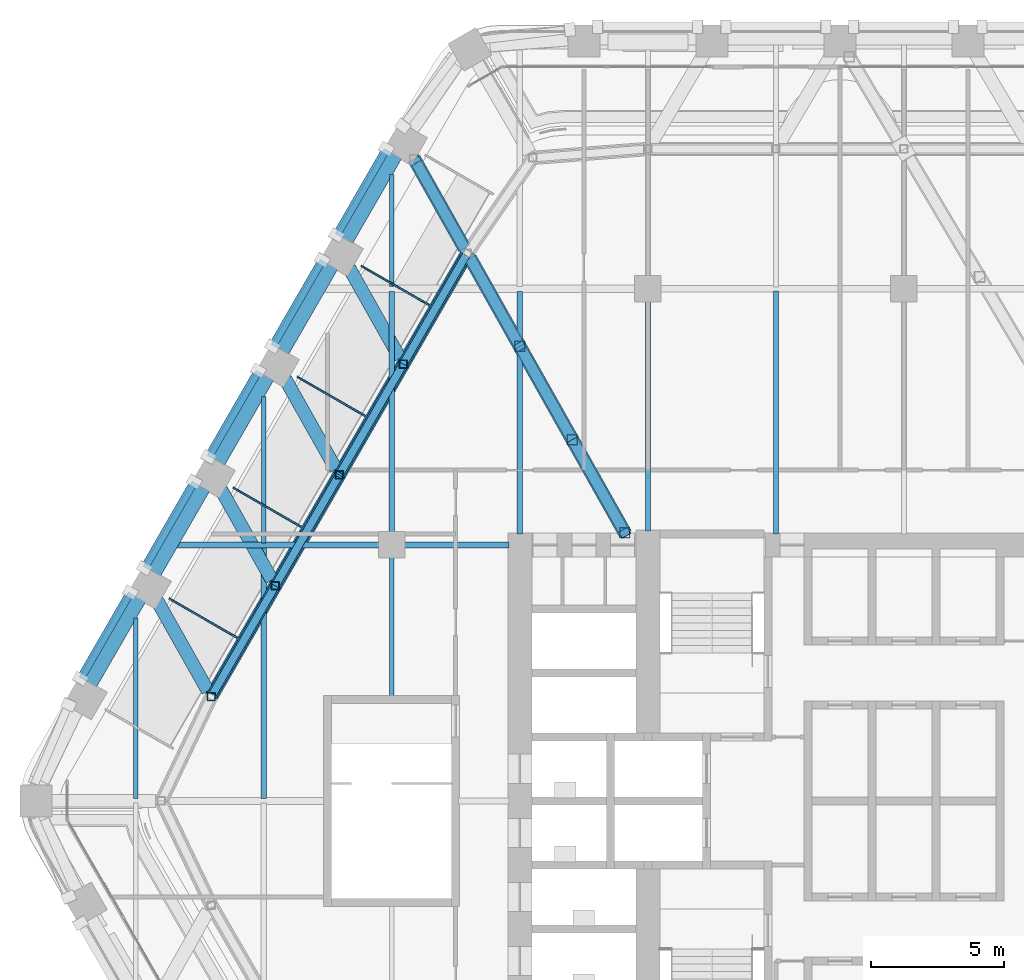
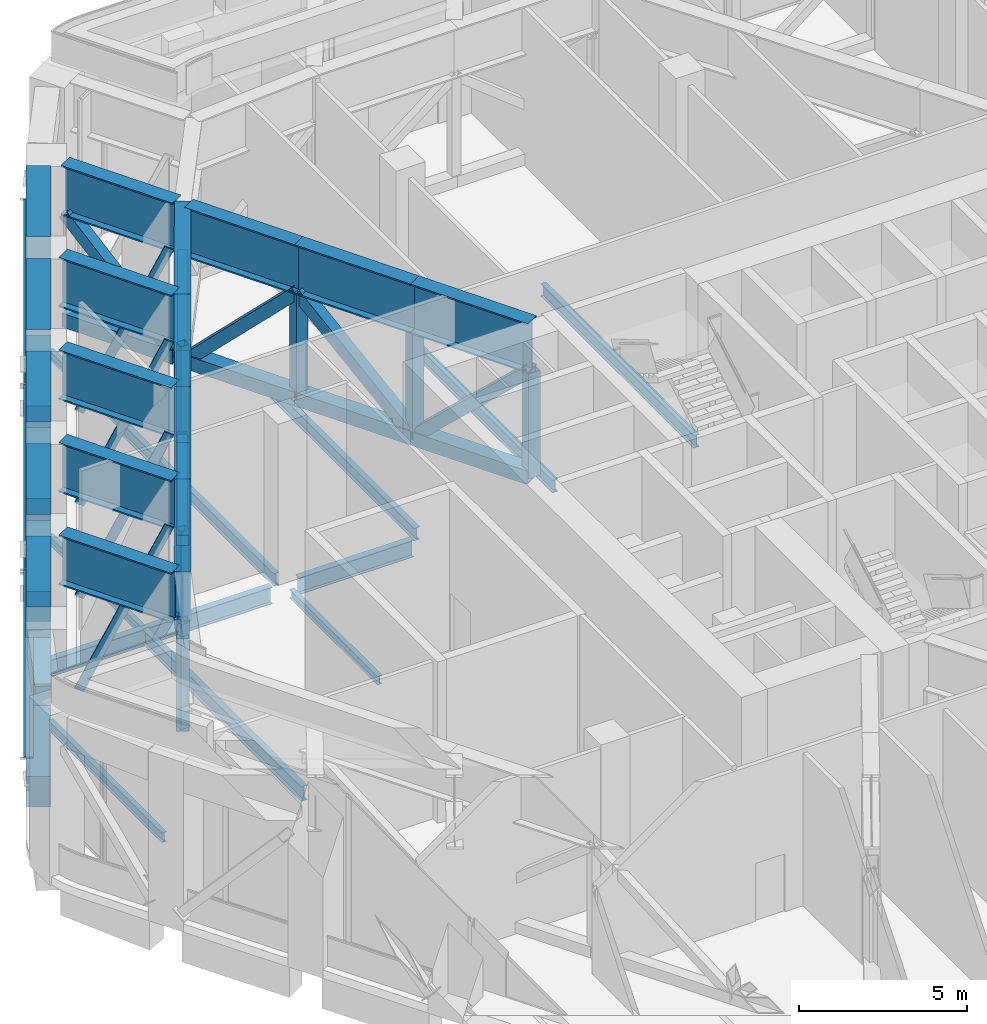
# One storey, part 8 of 27: 33 beams, 32 members, 1 element without a shape of its own.
"""IFC4 building model written with IfcOpenShell, lengths in metres."""

from ifc_helpers import new_model, si_unit, direction, frame, origin, origin_2d, place, context, subcontext, project, spatial, rectangle, hollow_rectangle, i_section, extrude, material, material_profile, profile_set, type_object, element, aggregate, save


model = new_model("IFC4")

# Units and contexts
model_context = context("Model", 3, precision=1e-05, world=origin(), true_north=direction((0.0, 1.0)))
body_context = subcontext(model_context, "Body", "Model", "MODEL_VIEW")
ifc_project = project(units=[si_unit("LENGTHUNIT", "METRE"), si_unit("AREAUNIT", "SQUARE_METRE"), si_unit("VOLUMEUNIT", "CUBIC_METRE"), si_unit("PLANEANGLEUNIT", "RADIAN"), si_unit("MASSUNIT", "GRAM", prefix="KILO")], contexts=[model_context])

# Site, building, storey
site_placement = place(None, origin())
site = spatial("IfcSite", under=ifc_project, at=site_placement, CompositionType="ELEMENT")
building_placement = place(site_placement, origin())
building = spatial("IfcBuilding", under=site, at=building_placement, Name="Kolab Exchange Tower", CompositionType="ELEMENT")
storey_placement = place(building_placement, frame((0.0, 0.0, 127.39990234375)))
storey = spatial("IfcBuildingStorey", under=building, at=storey_placement, Name="L25", CompositionType="ELEMENT", Elevation=127.39990234375)

# Members
ifc_material_1 = material(Name="Steel S355", Category="steel")
ifc_material_profile_1 = material_profile(ifc_material_1, hollow_rectangle(XDim=0.300048828125, YDim=0.300048828125, WallThickness=0.01611328125, at=origin_2d()), Name="HSS300X300X16")
ifc_profile_set_1 = profile_set([ifc_material_profile_1], Name="Steel S355")
member_type_1 = type_object("IfcMemberType", Name="BELT TRUSS BRACE HSS300X300X16", PredefinedType="BRACE", material=ifc_profile_set_1)
for number, where, z_axis, x_axis, name in (
    (1, (-25.967041015625, 3.906982421875, 4.050048828125), (0.392049206664, 0.678977702437, -0.620714668062), (-0.866002622515, 0.50003945624, 0.0), "mem/L25/ring/d-F6-02"),
    (2, (-23.56689453125, 8.063720703125, 0.25), (0.392004841722, 0.679009810783, 0.620707564741), (-0.866037363387, 0.499979284789, 0.0), "mem/L25/ring/d-F6-03"),
    (3, (-21.1669921875, 12.220703125, 4.050048828125), (0.392004841722, 0.679009810783, -0.620707564741), (-0.866037363387, 0.499979284789, 0.0), "mem/L25/ring/d-F6-04"),
):
    element("IfcMember", number, at=place(storey_placement, frame(where, z_axis=z_axis, x_axis=x_axis)), inside=storey, type_object=member_type_1, Name=name, PredefinedType="BRACE", context=body_context, shape_type="SweptSolid", body=[
        extrude(hollow_rectangle(XDim=0.300048828125, YDim=0.300048828125, WallThickness=0.01611328125, at=origin_2d()), origin(), (0.0, 0.0, 1.0), 6.1220703125),
    ])
member_1_placement = place(storey_placement, frame((-18.76708984375, 16.377685546875, 0.25), z_axis=(0.392038591319, 0.678999195849, 0.620697861244), x_axis=(-0.866015339567, 0.500017431331, 0.0)))
element("IfcMember", 4, at=member_1_placement, inside=storey, type_object=member_type_1, Name="mem/L25/ring/d-F6-05", PredefinedType="BRACE", context=body_context, shape_type="SweptSolid", body=[
    extrude(hollow_rectangle(XDim=0.300048828125, YDim=0.300048828125, WallThickness=0.01611328125, at=origin_2d()), origin(), (0.0, 0.0, 1.0), 6.122314453125),
])
for number, where, z_axis, x_axis, name in (
    (5, (-30.868896484375, 4.5869140625, 0.400146484375), (0.33175876964, 0.574575918421, 0.748196921096), (-0.866007645851, 0.500030756381, 0.0), "mem/L25/fb/F6-02"),
    (6, (-28.468994140625, 8.74365234375, 4.60009765625), (0.33175876964, 0.574575918421, -0.748196921096), (-0.866007645851, 0.500030756381, 0.0), "mem/L25/fb/F6-03"),
):
    element("IfcMember", number, at=place(storey_placement, frame(where, z_axis=z_axis, x_axis=x_axis)), inside=storey, type_object=member_type_1, Name=name, PredefinedType="BRACE", context=body_context, shape_type="SweptSolid", body=[
        extrude(hollow_rectangle(XDim=0.300048828125, YDim=0.300048828125, WallThickness=0.01611328125, at=origin_2d()), origin(), (0.0, 0.0, 1.0), 5.613525390625),
    ])
member_2_placement = place(storey_placement, frame((-26.06884765625, 12.900634765625, 0.400146484375), z_axis=(0.331720063492, 0.574584208573, 0.748207716303), x_axis=(-0.866036031404, 0.49998159197, 0.0)))
element("IfcMember", 7, at=member_2_placement, inside=storey, type_object=member_type_1, Name="mem/L25/fb/F6-04", PredefinedType="BRACE", context=body_context, shape_type="SweptSolid", body=[
    extrude(hollow_rectangle(XDim=0.300048828125, YDim=0.300048828125, WallThickness=0.01611328125, at=origin_2d()), origin(), (0.0, 0.0, 1.0), 5.61328125),
])
member_3_placement = place(storey_placement, frame((-23.6689453125, 17.0576171875, 4.60009765625), z_axis=(0.33175876964, 0.574575918421, -0.748196921096), x_axis=(-0.866007645851, 0.500030756381, 0.0)))
element("IfcMember", 8, at=member_3_placement, inside=storey, type_object=member_type_1, Name="mem/L25/fb/F6-05", PredefinedType="BRACE", context=body_context, shape_type="SweptSolid", body=[
    extrude(hollow_rectangle(XDim=0.300048828125, YDim=0.300048828125, WallThickness=0.01611328125, at=origin_2d()), origin(), (0.0, 0.0, 1.0), 5.613525390625),
])
member_4_placement = place(storey_placement, frame((-21.268798828125, 21.214599609375, 0.400146484375), z_axis=(0.331720063492, 0.574584208573, 0.748207716303), x_axis=(-0.866036031404, 0.49998159197, 0.0)))
element("IfcMember", 9, at=member_4_placement, inside=storey, type_object=member_type_1, Name="mem/L25/fb/F6-06", PredefinedType="BRACE", context=body_context, shape_type="SweptSolid", body=[
    extrude(hollow_rectangle(XDim=0.300048828125, YDim=0.300048828125, WallThickness=0.01611328125, at=origin_2d()), origin(), (0.0, 0.0, 1.0), 5.61328125),
])
ifc_material_profile_2 = material_profile(ifc_material_1, hollow_rectangle(XDim=0.39990234375, YDim=0.39990234375, WallThickness=0.02001953125, at=origin_2d()), Name="HSS400X400X20")
ifc_profile_set_2 = profile_set([ifc_material_profile_2], Name="Steel S355")
member_type_2 = type_object("IfcMemberType", Name="BELT TRUSS CHORD HSS400X400X20", PredefinedType="CHORD", material=ifc_profile_set_2)
member_5_placement = place(storey_placement, frame((-25.967041015625, 3.906982421875, 0.25), z_axis=(0.50003945624, 0.866002622515, 0.0), x_axis=(-0.866002622515, 0.50003945624, 0.0)))
element("IfcMember", 10, at=member_5_placement, inside=storey, type_object=member_type_2, Name="mem/L25/ring/c-F6-02", PredefinedType="CHORD", context=body_context, shape_type="SweptSolid", body=[
    extrude(hollow_rectangle(XDim=0.39990234375, YDim=0.39990234375, WallThickness=0.02001953125, at=origin_2d()), origin(), (0.0, 0.0, 1.0), 4.7998046875),
])
for number, where, z_axis, x_axis, name in (
    (11, (-23.56689453125, 8.063720703125, 0.25), (0.499979284789, 0.866037363387, 0.0), (-0.866037363387, 0.499979284789, 0.0), "mem/L25/ring/c-F6-03"),
    (12, (-21.1669921875, 12.220703125, 0.25), (0.499979284789, 0.866037363387, 0.0), (-0.866037363387, 0.499979284789, 0.0), "mem/L25/ring/c-F6-04"),
    (13, (-18.76708984375, 16.377685546875, 0.25), (0.500017431331, 0.866015339567, 0.0), (-0.866015339567, 0.500017431331, 0.0), "mem/L25/ring/c-F6-05"),
):
    element("IfcMember", number, at=place(storey_placement, frame(where, z_axis=z_axis, x_axis=x_axis)), inside=storey, type_object=member_type_2, Name=name, PredefinedType="CHORD", context=body_context, shape_type="SweptSolid", body=[
        extrude(hollow_rectangle(XDim=0.39990234375, YDim=0.39990234375, WallThickness=0.02001953125, at=origin_2d()), origin(), (0.0, 0.0, 1.0), 4.800048828125),
    ])

# Beams
ifc_material_profile_3 = material_profile(ifc_material_1, i_section(OverallWidth=0.5, OverallDepth=1.800048828125, WebThickness=0.031982421875, FlangeThickness=0.050048828125, at=origin_2d()), Name="PG1800X500")
ifc_profile_set_3 = profile_set([ifc_material_profile_3], Name="Steel S355")
beam_type_1 = type_object("IfcBeamType", Name="BELT TRUSS GIRDER PG1800X500", PredefinedType="BEAM", material=ifc_profile_set_3)
beam_1_placement = place(storey_placement, frame((-25.967041015625, 3.906982421875, 4.9501953125), z_axis=(0.50003945624, 0.866002622515, 0.0), x_axis=(-0.866002622515, 0.50003945624, 0.0)))
element("IfcBeam", 14, at=beam_1_placement, inside=storey, type_object=beam_type_1, Name="beam/L25/bg/F6-run0", PredefinedType="BEAM", context=body_context, shape_type="SweptSolid", body=[
    extrude(i_section(OverallWidth=0.5, OverallDepth=1.800048828125, WebThickness=0.031982421875, FlangeThickness=0.050048828125, at=origin_2d()), origin(), (0.0, 0.0, 1.0), 4.7998046875),
])
for number, where, z_axis, x_axis, name in (
    (15, (-23.56689453125, 8.063720703125, 4.9501953125), (0.499979284789, 0.866037363387, 0.0), (-0.866037363387, 0.499979284789, 0.0), "beam/L25/bg/F6-run1"),
    (16, (-21.1669921875, 12.220703125, 4.9501953125), (0.499979284789, 0.866037363387, 0.0), (-0.866037363387, 0.499979284789, 0.0), "beam/L25/bg/F6-run2"),
    (17, (-18.76708984375, 16.377685546875, 4.9501953125), (0.500017431331, 0.866015339567, 0.0), (-0.866015339567, 0.500017431331, 0.0), "beam/L25/bg/F6-run3"),
):
    element("IfcBeam", number, at=place(storey_placement, frame(where, z_axis=z_axis, x_axis=x_axis)), inside=storey, type_object=beam_type_1, Name=name, PredefinedType="BEAM", context=body_context, shape_type="SweptSolid", body=[
        extrude(i_section(OverallWidth=0.5, OverallDepth=1.800048828125, WebThickness=0.031982421875, FlangeThickness=0.050048828125, at=origin_2d()), origin(), (0.0, 0.0, 1.0), 4.800048828125),
    ])

# Members
ifc_material_profile_4 = material_profile(ifc_material_1, hollow_rectangle(XDim=0.300048828125, YDim=0.300048828125, WallThickness=0.01611328125, at=origin_2d()), Name="HSS300X300X16")
ifc_profile_set_4 = profile_set([ifc_material_profile_4], Name="Steel S355")
member_type_3 = type_object("IfcMemberType", Name="BELT TRUSS POST HSS300X300X16", PredefinedType="POST", material=ifc_profile_set_4)
for number, where, z_axis, x_axis, name in (
    (18, (-25.967041015625, 3.906982421875, 0.25), (0.0, 0.0, 1.0), (1.0, 0.0, 0.0), "mem/L25/ring/p-F6-02"),
    (19, (-23.56689453125, 8.063720703125, 0.25), (0.0, 0.0, 1.0), (1.0, 0.0, 0.0), "mem/L25/ring/p-F6-03"),
    (20, (-21.1669921875, 12.220703125, 0.25), (0.0, 0.0, 1.0), (1.0, 0.0, 0.0), "mem/L25/ring/p-F6-04"),
    (21, (-18.76708984375, 16.377685546875, 0.25), (0.0, 0.0, 1.0), (1.0, 0.0, 0.0), "mem/L25/ring/p-F6-05"),
):
    element("IfcMember", number, at=place(storey_placement, frame(where, z_axis=z_axis, x_axis=x_axis)), inside=storey, type_object=member_type_3, Name=name, PredefinedType="POST", context=body_context, shape_type="SweptSolid", body=[
        extrude(hollow_rectangle(XDim=0.300048828125, YDim=0.300048828125, WallThickness=0.01611328125, at=origin_2d()), origin(), (0.0, 0.0, 1.0), 3.800048828125),
    ])

# Curtain wall, members
ifc_material_2 = material(Name="Aluminium EN AW-6063 T6", Category="aluminium")
curtain_wall_type = type_object("IfcCurtainWallType", Name="CANTED BAND CURTAIN WALL", PredefinedType="NOTDEFINED", material=ifc_material_2)
curtain_wall_placement = place(storey_placement, origin())
curtain_wall = element("IfcCurtainWall", 22, at=curtain_wall_placement, inside=storey, type_object=curtain_wall_type, Name="band/L25/F6", PredefinedType="NOTDEFINED")
ifc_material_profile_5 = material_profile(ifc_material_2, rectangle(XDim=0.06005859375, YDim=0.300048828125, at=origin_2d()), Name="RECT 60X300")
ifc_profile_set_5 = profile_set([ifc_material_profile_5], Name="Aluminium EN AW-6063 T6")
member_type_4 = type_object("IfcMemberType", Name="CANTED BAND MULLION 60 X 300", PredefinedType="MULLION", material=ifc_profile_set_5)
member_6_placement = place(storey_placement, frame((-27.431640625, 7.52392578125, -0.099853515625), z_axis=(0.35583111981, -0.205457248307, 0.911686093616), x_axis=(0.500032956655, 0.866006375415, 0.0)))
member_6 = element("IfcMember", 23, at=member_6_placement, type_object=member_type_4, Name="Band mullion", PredefinedType="MULLION", context=body_context, shape_type="SweptSolid", body=[
    extrude(rectangle(XDim=0.06005859375, YDim=0.300048828125, at=origin_2d()), origin(), (0.0, 0.0, 1.0), 6.515380859375),
])
member_7_placement = place(storey_placement, frame((-25.03173828125, 11.6806640625, -0.099853515625), z_axis=(0.355833859075, -0.205421357987, 0.911693111973), x_axis=(0.499964557259, 0.866045865693, 0.0)))
member_7 = element("IfcMember", 24, at=member_7_placement, type_object=member_type_4, Name="Band mullion", PredefinedType="MULLION", context=body_context, shape_type="SweptSolid", body=[
    extrude(rectangle(XDim=0.06005859375, YDim=0.300048828125, at=origin_2d()), origin(), (0.0, 0.0, 1.0), 6.515380859375),
])
member_8_placement = place(storey_placement, frame((-22.631591796875, 15.837646484375, -0.099853515625), z_axis=(0.355801131063, -0.205424096945, 0.911705267907), x_axis=(0.500004049237, 0.866023065944, 0.0)))
member_8 = element("IfcMember", 25, at=member_8_placement, type_object=member_type_4, Name="Band mullion", PredefinedType="MULLION", context=body_context, shape_type="SweptSolid", body=[
    extrude(rectangle(XDim=0.06005859375, YDim=0.300048828125, at=origin_2d()), origin(), (0.0, 0.0, 1.0), 6.51513671875),
])
member_9_placement = place(storey_placement, frame((-20.231689453125, 19.99462890625, -0.099853515625), z_axis=(0.355833859075, -0.205421357987, 0.911693111973), x_axis=(0.499964557259, 0.866045865693, 0.0)))
member_9 = element("IfcMember", 26, at=member_9_placement, type_object=member_type_4, Name="Band mullion", PredefinedType="MULLION", context=body_context, shape_type="SweptSolid", body=[
    extrude(rectangle(XDim=0.06005859375, YDim=0.300048828125, at=origin_2d()), origin(), (0.0, 0.0, 1.0), 6.515380859375),
])
aggregate(curtain_wall, [member_6, member_7, member_8, member_9])

# Beams
ifc_material_profile_6 = material_profile(ifc_material_1, i_section(OverallWidth=0.1650390625, OverallDepth=0.31005859375, WebThickness=0.005859375, FlangeThickness=0.009765625, at=origin_2d()), Name="W310X39")
ifc_profile_set_6 = profile_set([ifc_material_profile_6], Name="Steel S355")
beam_type_2 = type_object("IfcBeamType", Name="FLOOR BEAM W310X39", PredefinedType="BEAM", material=ifc_profile_set_6)
beam_2_placement = place(storey_placement, frame((-24.0, 9.674072265625, -0.454833984375), z_axis=(0.0, 1.0, 0.0), x_axis=(-1.0, 0.0, 0.0)))
element("IfcBeam", 27, at=beam_2_placement, inside=storey, type_object=beam_type_2, Name="beam/L25/fr/005", PredefinedType="BEAM", context=body_context, shape_type="SweptSolid", body=[
    extrude(i_section(OverallWidth=0.1650390625, OverallDepth=0.31005859375, WebThickness=0.005859375, FlangeThickness=0.009765625, at=origin_2d()), origin(), (0.0, 0.0, 1.0), 5.49365234375),
])
beam_3_placement = place(storey_placement, frame((-19.199951171875, 3.909912109375, -0.454833984375), z_axis=(0.0, 1.0, 0.0), x_axis=(-1.0, 0.0, 0.0)))
element("IfcBeam", 28, at=beam_3_placement, inside=storey, type_object=beam_type_2, Name="beam/L25/fr/009", PredefinedType="BEAM", context=body_context, shape_type="SweptSolid", body=[
    extrude(i_section(OverallWidth=0.1650390625, OverallDepth=0.31005859375, WebThickness=0.005859375, FlangeThickness=0.009765625, at=origin_2d()), origin(), (0.0, 0.0, 1.0), 5.22998046875),
])
beam_4_placement = place(storey_placement, frame((-19.199951171875, 19.29345703125, -0.454833984375), z_axis=(0.0, 1.0, 0.0), x_axis=(-1.0, 0.0, 0.0)))
element("IfcBeam", 29, at=beam_4_placement, inside=storey, type_object=beam_type_2, Name="beam/L25/fr/011", PredefinedType="BEAM", context=body_context, shape_type="SweptSolid", body=[
    extrude(i_section(OverallWidth=0.1650390625, OverallDepth=0.31005859375, WebThickness=0.005859375, FlangeThickness=0.009765625, at=origin_2d()), origin(), (0.0, 0.0, 1.0), 4.18798828125),
])
ifc_material_profile_7 = material_profile(ifc_material_1, i_section(OverallWidth=0.1708984375, OverallDepth=0.35498046875, WebThickness=0.007080078125, FlangeThickness=0.01171875, at=origin_2d()), Name="W360X51")
ifc_profile_set_7 = profile_set([ifc_material_profile_7], Name="Steel S355")
beam_type_3 = type_object("IfcBeamType", Name="FLOOR BEAM W360X51", PredefinedType="BEAM", material=ifc_profile_set_7)
beam_5_placement = place(storey_placement, frame((-28.800048828125, 0.0869140625, -0.477294921875), z_axis=(0.0, 1.0, 0.0), x_axis=(-1.0, 0.0, 0.0)))
element("IfcBeam", 30, at=beam_5_placement, inside=storey, type_object=beam_type_3, Name="beam/L25/fr/001", PredefinedType="BEAM", context=body_context, shape_type="SweptSolid", body=[
    extrude(i_section(OverallWidth=0.1708984375, OverallDepth=0.35498046875, WebThickness=0.007080078125, FlangeThickness=0.01171875, at=origin_2d()), origin(), (0.0, 0.0, 1.0), 6.766845703125),
])
ifc_material_profile_8 = material_profile(ifc_material_1, i_section(OverallWidth=0.18994140625, OverallDepth=0.45703125, WebThickness=0.009033203125, FlangeThickness=0.014404296875, at=origin_2d()), Name="W460X74")
ifc_profile_set_8 = profile_set([ifc_material_profile_8], Name="Steel S355")
beam_type_4 = type_object("IfcBeamType", Name="FLOOR BEAM W460X74", PredefinedType="BEAM", material=ifc_profile_set_8)
beam_6_placement = place(storey_placement, frame((-19.199951171875, 10.06005859375, -0.5283203125), z_axis=(0.0, 1.0, 0.0), x_axis=(-1.0, 0.0, 0.0)))
element("IfcBeam", 31, at=beam_6_placement, inside=storey, type_object=beam_type_4, Name="beam/L25/fr/010", PredefinedType="BEAM", context=body_context, shape_type="SweptSolid", body=[
    extrude(i_section(OverallWidth=0.18994140625, OverallDepth=0.45703125, WebThickness=0.009033203125, FlangeThickness=0.014404296875, at=origin_2d()), origin(), (0.0, 0.0, 1.0), 9.04638671875),
])
beam_7_placement = place(storey_placement, frame((-14.39990234375, 10.010009765625, -0.5283203125), z_axis=(0.0, 1.0, 0.0), x_axis=(-1.0, 0.0, 0.0)))
element("IfcBeam", 32, at=beam_7_placement, inside=storey, type_object=beam_type_4, Name="beam/L25/fr/014", PredefinedType="BEAM", context=body_context, shape_type="SweptSolid", body=[
    extrude(i_section(OverallWidth=0.18994140625, OverallDepth=0.45703125, WebThickness=0.009033203125, FlangeThickness=0.014404296875, at=origin_2d()), origin(), (0.0, 0.0, 1.0), 9.096435546875),
])
beam_8_placement = place(storey_placement, frame((-9.60009765625, 10.110107421875, -0.5283203125), z_axis=(0.0, 1.0, 0.0), x_axis=(-1.0, 0.0, 0.0)))
element("IfcBeam", 33, at=beam_8_placement, inside=storey, type_object=beam_type_4, Name="beam/L25/fr/018", PredefinedType="BEAM", context=body_context, shape_type="SweptSolid", body=[
    extrude(i_section(OverallWidth=0.18994140625, OverallDepth=0.45703125, WebThickness=0.009033203125, FlangeThickness=0.014404296875, at=origin_2d()), origin(), (0.0, 0.0, 1.0), 8.6298828125),
])
beam_9_placement = place(storey_placement, frame((-4.800048828125, 10.010009765625, -0.5283203125), z_axis=(0.0, 1.0, 0.0), x_axis=(-1.0, 0.0, 0.0)))
element("IfcBeam", 34, at=beam_9_placement, inside=storey, type_object=beam_type_4, Name="beam/L25/fr/022", PredefinedType="BEAM", context=body_context, shape_type="SweptSolid", body=[
    extrude(i_section(OverallWidth=0.18994140625, OverallDepth=0.45703125, WebThickness=0.009033203125, FlangeThickness=0.014404296875, at=origin_2d()), origin(), (0.0, 0.0, 1.0), 9.115966796875),
])
ifc_material_profile_9 = material_profile(ifc_material_1, i_section(OverallWidth=0.208984375, OverallDepth=0.532958984375, WebThickness=0.01025390625, FlangeThickness=0.015625, at=origin_2d()), Name="W530X92")
ifc_profile_set_9 = profile_set([ifc_material_profile_9], Name="Steel S355")
beam_type_5 = type_object("IfcBeamType", Name="FLOOR BEAM W530X92", PredefinedType="BEAM", material=ifc_profile_set_9)
beam_10_placement = place(storey_placement, frame((-24.0, 0.0869140625, -0.56640625), z_axis=(0.0, 1.0, 0.0), x_axis=(-1.0, 0.0, 0.0)))
element("IfcBeam", 35, at=beam_10_placement, inside=storey, type_object=beam_type_5, Name="beam/L25/fr/004", PredefinedType="BEAM", context=body_context, shape_type="SweptSolid", body=[
    extrude(i_section(OverallWidth=0.208984375, OverallDepth=0.532958984375, WebThickness=0.01025390625, FlangeThickness=0.015625, at=origin_2d()), origin(), (0.0, 0.0, 1.0), 9.43896484375),
])
ifc_material_profile_10 = material_profile(ifc_material_1, i_section(OverallWidth=0.22802734375, OverallDepth=0.60791015625, WebThickness=0.01123046875, FlangeThickness=0.017333984375, at=origin_2d()), Name="W610X113")
ifc_profile_set_10 = profile_set([ifc_material_profile_10], Name="Steel S355")
beam_type_6 = type_object("IfcBeamType", Name="FLOOR GIRDER W610X113", PredefinedType="BEAM", material=ifc_profile_set_10)
beam_11_placement = place(storey_placement, frame((-27.2314453125, 9.60009765625, -0.60400390625), z_axis=(1.0, 0.0, 0.0), x_axis=(0.0, 1.0, 0.0)))
element("IfcBeam", 36, at=beam_11_placement, inside=storey, type_object=beam_type_6, Name="beam/L25/gd/002", PredefinedType="BEAM", context=body_context, shape_type="SweptSolid", body=[
    extrude(i_section(OverallWidth=0.22802734375, OverallDepth=0.60791015625, WebThickness=0.01123046875, FlangeThickness=0.017333984375, at=origin_2d()), origin(), (0.0, 0.0, 1.0), 7.571533203125),
])
beam_12_placement = place(storey_placement, frame((-18.739990234375, 9.60009765625, -0.60400390625), z_axis=(1.0, 0.0, 0.0), x_axis=(0.0, 1.0, 0.0)))
element("IfcBeam", 37, at=beam_12_placement, inside=storey, type_object=beam_type_6, Name="beam/L25/gd/006", PredefinedType="BEAM", context=body_context, shape_type="SweptSolid", body=[
    extrude(i_section(OverallWidth=0.22802734375, OverallDepth=0.60791015625, WebThickness=0.01123046875, FlangeThickness=0.017333984375, at=origin_2d()), origin(), (0.0, 0.0, 1.0), 3.929931640625),
])

# Members
ifc_material_profile_11 = material_profile(ifc_material_1, hollow_rectangle(XDim=0.39990234375, YDim=0.39990234375, WallThickness=0.02001953125, at=origin_2d()), Name="HSS400X400X20")
ifc_profile_set_11 = profile_set([ifc_material_profile_11], Name="Steel S355")
member_type_5 = type_object("IfcMemberType", Name="OUTRIGGER BRACE HSS400X400X20", PredefinedType="BRACE", material=ifc_profile_set_11)
for number, where, z_axis, x_axis, name in (
    (38, (-10.461181640625, 10.050048828125, 4.050048828125), (-0.356267901015, 0.632515813348, -0.687747721604), (-0.871294182831, -0.490761089498, 0.0), "mem/L25/out/05/d00"),
    (39, (-12.4296875, 13.544921875, 0.25), (-0.356306477302, 0.632505855975, 0.687736894743), (-0.871268156325, -0.49080729393, 0.0), "mem/L25/out/05/d01"),
):
    element("IfcMember", number, at=place(storey_placement, frame(where, z_axis=z_axis, x_axis=x_axis)), inside=storey, type_object=member_type_5, Name=name, PredefinedType="BRACE", context=body_context, shape_type="SweptSolid", body=[
        extrude(hollow_rectangle(XDim=0.39990234375, YDim=0.39990234375, WallThickness=0.02001953125, at=origin_2d()), origin(), (0.0, 0.0, 1.0), 5.525390625),
    ])
member_10_placement = place(storey_placement, frame((-14.3984375, 17.039794921875, 4.050048828125), z_axis=(-0.347080423166, 0.616168818251, -0.707015676821), x_axis=(-0.871282057065, -0.490782616884, 0.0)))
element("IfcMember", 40, at=member_10_placement, inside=storey, type_object=member_type_5, Name="mem/L25/out/05/d02", PredefinedType="BRACE", context=body_context, shape_type="SweptSolid", body=[
    extrude(hollow_rectangle(XDim=0.39990234375, YDim=0.39990234375, WallThickness=0.02001953125, at=origin_2d()), origin(), (0.0, 0.0, 1.0), 5.374755859375),
])
member_11_placement = place(storey_placement, frame((-16.47021484375, 20.717529296875, 0.25), z_axis=(-0.347285416227, 0.61663473787, 0.70650862679), x_axis=(-0.871316769702, -0.490720986749, 0.0)))
element("IfcMember", 41, at=member_11_placement, inside=storey, type_object=member_type_5, Name="mem/L25/out/05/d03", PredefinedType="BRACE", context=body_context, shape_type="SweptSolid", body=[
    extrude(hollow_rectangle(XDim=0.39990234375, YDim=0.39990234375, WallThickness=0.02001953125, at=origin_2d()), origin(), (0.0, 0.0, 1.0), 5.378662109375),
])
ifc_material_profile_12 = material_profile(ifc_material_1, hollow_rectangle(XDim=0.5, YDim=0.5, WallThickness=0.02490234375, at=origin_2d()), Name="HSS500X500X25")
ifc_profile_set_12 = profile_set([ifc_material_profile_12], Name="Steel S355")
member_type_6 = type_object("IfcMemberType", Name="OUTRIGGER CHORD HSS500X500X25", PredefinedType="CHORD", material=ifc_profile_set_12)
for number, where, z_axis, x_axis, name in (
    (42, (-10.461181640625, 10.050048828125, 0.25), (-0.490761089498, 0.871294182831, 0.0), (-0.871294182831, -0.490761089498, 0.0), "mem/L25/out/05/c00"),
    (43, (-12.4296875, 13.544921875, 0.25), (-0.49080729393, 0.871268156325, 0.0), (-0.871268156325, -0.49080729393, 0.0), "mem/L25/out/05/c01"),
):
    element("IfcMember", number, at=place(storey_placement, frame(where, z_axis=z_axis, x_axis=x_axis)), inside=storey, type_object=member_type_6, Name=name, PredefinedType="CHORD", context=body_context, shape_type="SweptSolid", body=[
        extrude(hollow_rectangle(XDim=0.5, YDim=0.5, WallThickness=0.02490234375, at=origin_2d()), origin(), (0.0, 0.0, 1.0), 4.01123046875),
    ])
member_12_placement = place(storey_placement, frame((-14.3984375, 17.039794921875, 0.25), z_axis=(-0.490782616884, 0.871282057065, 0.0), x_axis=(-0.871282057065, -0.490782616884, 0.0)))
element("IfcMember", 44, at=member_12_placement, inside=storey, type_object=member_type_6, Name="mem/L25/out/05/c02", PredefinedType="CHORD", context=body_context, shape_type="SweptSolid", body=[
    extrude(hollow_rectangle(XDim=0.5, YDim=0.5, WallThickness=0.02490234375, at=origin_2d()), origin(), (0.0, 0.0, 1.0), 3.801025390625),
])
member_13_placement = place(storey_placement, frame((-16.47021484375, 20.717529296875, 0.25), z_axis=(-0.490720986749, 0.871316769702, 0.0), x_axis=(-0.871316769702, -0.490720986749, 0.0)))
element("IfcMember", 45, at=member_13_placement, inside=storey, type_object=member_type_6, Name="mem/L25/out/05/c03", PredefinedType="CHORD", context=body_context, shape_type="SweptSolid", body=[
    extrude(hollow_rectangle(XDim=0.5, YDim=0.5, WallThickness=0.02490234375, at=origin_2d()), origin(), (0.0, 0.0, 1.0), 3.806396484375),
])

# Beams
ifc_material_profile_13 = material_profile(ifc_material_1, i_section(OverallWidth=0.5, OverallDepth=1.800048828125, WebThickness=0.031982421875, FlangeThickness=0.050048828125, at=origin_2d()), Name="PG1800X500")
ifc_profile_set_13 = profile_set([ifc_material_profile_13], Name="Steel S355")
beam_type_7 = type_object("IfcBeamType", Name="OUTRIGGER GIRDER PG1800X500", PredefinedType="BEAM", material=ifc_profile_set_13)
beam_13_placement = place(storey_placement, frame((-10.44140625, 10.01513671875, 4.9501953125), z_axis=(-0.490781881685, 0.871282471194, 0.0), x_axis=(-0.871282471194, -0.490781881685, 0.0)))
element("IfcBeam", 46, at=beam_13_placement, inside=storey, type_object=beam_type_7, Name="beam/L25/og/05-00", PredefinedType="BEAM", context=body_context, shape_type="SweptSolid", body=[
    extrude(i_section(OverallWidth=0.5, OverallDepth=1.800048828125, WebThickness=0.031982421875, FlangeThickness=0.050048828125, at=origin_2d()), origin(), (0.0, 0.0, 1.0), 4.05126953125),
])
beam_14_placement = place(storey_placement, frame((-12.4296875, 13.544921875, 4.9501953125), z_axis=(-0.49080729393, 0.871268156325, 0.0), x_axis=(-0.871268156325, -0.49080729393, 0.0)))
element("IfcBeam", 47, at=beam_14_placement, inside=storey, type_object=beam_type_7, Name="beam/L25/og/05-01", PredefinedType="BEAM", context=body_context, shape_type="SweptSolid", body=[
    extrude(i_section(OverallWidth=0.5, OverallDepth=1.800048828125, WebThickness=0.031982421875, FlangeThickness=0.050048828125, at=origin_2d()), origin(), (0.0, 0.0, 1.0), 4.01123046875),
])
beam_15_placement = place(storey_placement, frame((-14.3984375, 17.039794921875, 4.9501953125), z_axis=(-0.490782616884, 0.871282057065, 0.0), x_axis=(-0.871282057065, -0.490782616884, 0.0)))
element("IfcBeam", 48, at=beam_15_placement, inside=storey, type_object=beam_type_7, Name="beam/L25/og/05-02", PredefinedType="BEAM", context=body_context, shape_type="SweptSolid", body=[
    extrude(i_section(OverallWidth=0.5, OverallDepth=1.800048828125, WebThickness=0.031982421875, FlangeThickness=0.050048828125, at=origin_2d()), origin(), (0.0, 0.0, 1.0), 3.801025390625),
])
beam_16_placement = place(storey_placement, frame((-16.47021484375, 20.717529296875, 4.9501953125), z_axis=(-0.490743303996, 0.87130420037, 0.0), x_axis=(-0.87130420037, -0.490743303996, 0.0)))
element("IfcBeam", 49, at=beam_16_placement, inside=storey, type_object=beam_type_7, Name="beam/L25/og/05-03", PredefinedType="BEAM", context=body_context, shape_type="SweptSolid", body=[
    extrude(i_section(OverallWidth=0.5, OverallDepth=1.800048828125, WebThickness=0.031982421875, FlangeThickness=0.050048828125, at=origin_2d()), origin(), (0.0, 0.0, 1.0), 3.8466796875),
])

# Members
ifc_material_profile_14 = material_profile(ifc_material_1, hollow_rectangle(XDim=0.39990234375, YDim=0.39990234375, WallThickness=0.02001953125, at=origin_2d()), Name="HSS400X400X20")
ifc_profile_set_14 = profile_set([ifc_material_profile_14], Name="Steel S355")
member_type_7 = type_object("IfcMemberType", Name="OUTRIGGER POST HSS400X400X20", PredefinedType="POST", material=ifc_profile_set_14)
for number, where, z_axis, x_axis, name in (
    (50, (-10.461181640625, 10.050048828125, 0.25), (0.0, 0.0, 1.0), (1.0, 0.0, 0.0), "mem/L25/out/05/p00"),
    (51, (-12.4296875, 13.544921875, 0.25), (0.0, 0.0, 1.0), (1.0, 0.0, 0.0), "mem/L25/out/05/p01"),
    (52, (-14.3984375, 17.039794921875, 0.25), (0.0, 0.0, 1.0), (1.0, 0.0, 0.0), "mem/L25/out/05/p02"),
):
    element("IfcMember", number, at=place(storey_placement, frame(where, z_axis=z_axis, x_axis=x_axis)), inside=storey, type_object=member_type_7, Name=name, PredefinedType="POST", context=body_context, shape_type="SweptSolid", body=[
        extrude(hollow_rectangle(XDim=0.39990234375, YDim=0.39990234375, WallThickness=0.02001953125, at=origin_2d()), origin(), (0.0, 0.0, 1.0), 3.800048828125),
    ])

# Beams
ifc_material_3 = material(Name="Concrete C70/85", Category="concrete")
ifc_material_profile_15 = material_profile(ifc_material_3, rectangle(XDim=0.75, YDim=1.10009765625, at=origin_2d()), Name="RC750X1100")
ifc_profile_set_15 = profile_set([ifc_material_profile_15], Name="Concrete C70/85")
beam_type_8 = type_object("IfcBeamType", Name="SPANDREL BEAM 750X1100 C70/85", PredefinedType="BEAM", material=ifc_profile_set_15)
for number, where, z_axis, x_axis, name in (
    (53, (-30.59521484375, 4.454345703125, -0.849853515625), (0.500013413428, 0.866017659399, 0.0), (-0.866017659399, 0.500013413428, 0.0), "beam/L25/sp/F6-02"),
    (54, (-28.1953125, 8.611328125, -0.849853515625), (0.500013413428, 0.866017659399, 0.0), (-0.866017659399, 0.500013413428, 0.0), "beam/L25/sp/F6-03"),
):
    element("IfcBeam", number, at=place(storey_placement, frame(where, z_axis=z_axis, x_axis=x_axis)), inside=storey, type_object=beam_type_8, Name=name, PredefinedType="BEAM", context=body_context, shape_type="SweptSolid", body=[
        extrude(rectangle(XDim=0.75, YDim=1.10009765625, at=origin_2d()), origin(), (0.0, 0.0, 1.0), 3.68017578125),
    ])
beam_17_placement = place(storey_placement, frame((-25.795166015625, 12.768310546875, -0.849853515625), z_axis=(0.499963655964, 0.866046386007, 0.0), x_axis=(-0.866046386007, 0.499963655964, 0.0)))
element("IfcBeam", 55, at=beam_17_placement, inside=storey, type_object=beam_type_8, Name="beam/L25/sp/F6-04", PredefinedType="BEAM", context=body_context, shape_type="SweptSolid", body=[
    extrude(rectangle(XDim=0.75, YDim=1.10009765625, at=origin_2d()), origin(), (0.0, 0.0, 1.0), 3.679931640625),
])
for number, where, z_axis, x_axis, name in (
    (56, (-23.395263671875, 16.925048828125, -0.849853515625), (0.500013413428, 0.866017659399, 0.0), (-0.866017659399, 0.500013413428, 0.0), "beam/L25/sp/F6-05"),
    (57, (-20.995361328125, 21.08203125, -0.849853515625), (0.500013413428, 0.866017659399, 0.0), (-0.866017659399, 0.500013413428, 0.0), "beam/L25/sp/F6-06"),
    (58, (-30.59521484375, 4.454345703125, 5.300048828125), (0.500013413428, 0.866017659399, 0.0), (-0.866017659399, 0.500013413428, 0.0), "beam/L25/cp/F6-02"),
    (59, (-28.1953125, 8.611328125, 5.300048828125), (0.500013413428, 0.866017659399, 0.0), (-0.866017659399, 0.500013413428, 0.0), "beam/L25/cp/F6-03"),
):
    element("IfcBeam", number, at=place(storey_placement, frame(where, z_axis=z_axis, x_axis=x_axis)), inside=storey, type_object=beam_type_8, Name=name, PredefinedType="BEAM", context=body_context, shape_type="SweptSolid", body=[
        extrude(rectangle(XDim=0.75, YDim=1.10009765625, at=origin_2d()), origin(), (0.0, 0.0, 1.0), 3.68017578125),
    ])
for number, where, z_axis, x_axis, name in (
    (60, (-25.795166015625, 12.768310546875, 5.300048828125), (0.500042141888, 0.866001071787, 0.0), (-0.866001071787, 0.500042141888, 0.0), "beam/L25/cp/F6-04"),
    (61, (-23.395263671875, 16.92529296875, 5.300048828125), (0.500042141888, 0.866001071787, 0.0), (-0.866001071787, 0.500042141888, 0.0), "beam/L25/cp/F6-05"),
    (62, (-20.9951171875, 21.08203125, 5.300048828125), (0.499963655964, 0.866046386007, 0.0), (-0.866046386007, 0.499963655964, 0.0), "beam/L25/cp/F6-06"),
):
    element("IfcBeam", number, at=place(storey_placement, frame(where, z_axis=z_axis, x_axis=x_axis)), inside=storey, type_object=beam_type_8, Name=name, PredefinedType="BEAM", context=body_context, shape_type="SweptSolid", body=[
        extrude(rectangle(XDim=0.75, YDim=1.10009765625, at=origin_2d()), origin(), (0.0, 0.0, 1.0), 3.679931640625),
    ])
ifc_material_profile_16 = material_profile(ifc_material_1, i_section(OverallWidth=0.5, OverallDepth=1.800048828125, WebThickness=0.031982421875, FlangeThickness=0.050048828125, at=origin_2d()), Name="PG1800X500")
ifc_profile_set_16 = profile_set([ifc_material_profile_16], Name="Steel S355")
beam_type_9 = type_object("IfcBeamType", Name="TRANSFER GIRDER PG1800X500", PredefinedType="BEAM", material=ifc_profile_set_16)
beam_18_placement = place(storey_placement, frame((-26.089599609375, 4.124755859375, 4.9501953125), z_axis=(-0.490774507878, 0.87128662472, 0.0), x_axis=(-0.87128662472, -0.490774507878, 0.0)))
element("IfcBeam", 63, at=beam_18_placement, inside=storey, type_object=beam_type_9, Name="beam/L25/tg/F6-02", PredefinedType="BEAM", context=body_context, shape_type="SweptSolid", body=[
    extrude(i_section(OverallWidth=0.5, OverallDepth=1.800048828125, WebThickness=0.031982421875, FlangeThickness=0.050048828125, at=origin_2d()), origin(), (0.0, 0.0, 1.0), 3.8837890625),
])
for number, where, z_axis, x_axis, name in (
    (64, (-23.689697265625, 8.28173828125, 4.9501953125), (-0.490801389835, 0.871271482224, 0.0), (-0.871271482224, -0.490801389835, 0.0), "beam/L25/tg/F6-03"),
    (65, (-21.289794921875, 12.438720703125, 4.9501953125), (-0.490801389835, 0.871271482224, 0.0), (-0.871271482224, -0.490801389835, 0.0), "beam/L25/tg/F6-04"),
):
    element("IfcBeam", number, at=place(storey_placement, frame(where, z_axis=z_axis, x_axis=x_axis)), inside=storey, type_object=beam_type_9, Name=name, PredefinedType="BEAM", context=body_context, shape_type="SweptSolid", body=[
        extrude(i_section(OverallWidth=0.5, OverallDepth=1.800048828125, WebThickness=0.031982421875, FlangeThickness=0.050048828125, at=origin_2d()), origin(), (0.0, 0.0, 1.0), 3.883544921875),
    ])
beam_19_placement = place(storey_placement, frame((-18.8896484375, 16.595458984375, 4.9501953125), z_axis=(-0.490774507878, 0.87128662472, 0.0), x_axis=(-0.87128662472, -0.490774507878, 0.0)))
element("IfcBeam", 66, at=beam_19_placement, inside=storey, type_object=beam_type_9, Name="beam/L25/tg/F6-05", PredefinedType="BEAM", context=body_context, shape_type="SweptSolid", body=[
    extrude(i_section(OverallWidth=0.5, OverallDepth=1.800048828125, WebThickness=0.031982421875, FlangeThickness=0.050048828125, at=origin_2d()), origin(), (0.0, 0.0, 1.0), 3.8837890625),
])

save(model, "model.ifc")
